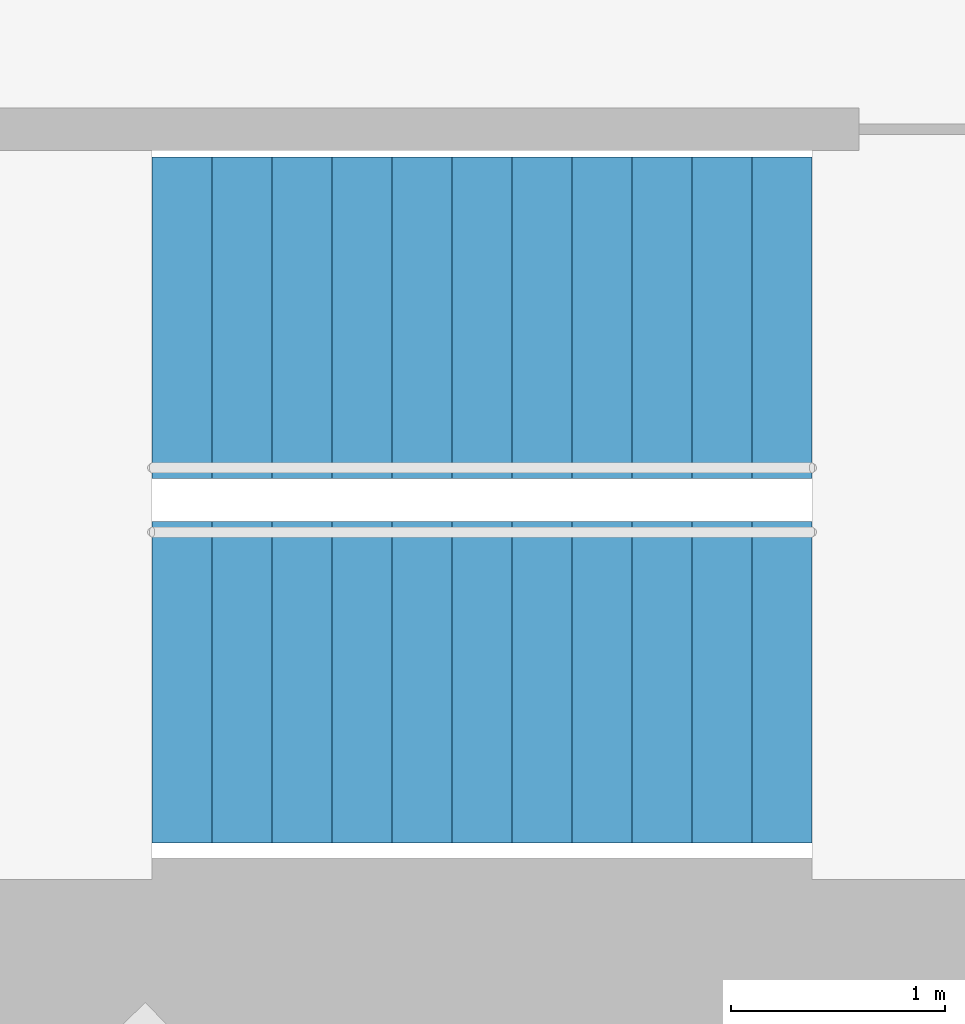
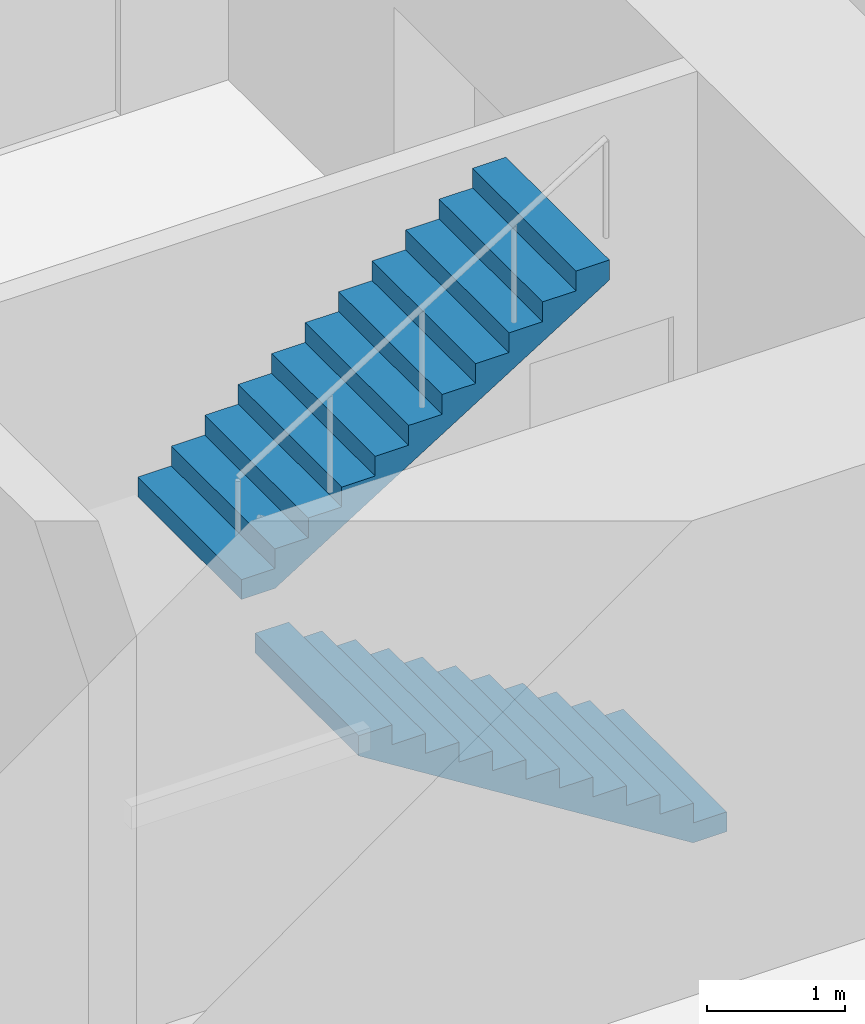
# One storey, part 16 of 17: 2 stair flights, 1 element without a shape of its own.
"""IFC4 building model written with IfcOpenShell, lengths in metres."""

import ifcopenshell
import ifcopenshell.guid

model = None  # the IFC model being written
_history = None  # IfcOwnerHistory: only IFC2X3 demands one
_inside = {}  # id of a spatial element -> (the spatial element, [elements in it])
_under = {}  # id of a project, library or spatial element -> (it, [spatial elements below it])
_declared = {}  # id of a project -> (the project, [libraries it declares])
_typed = {}  # id of a type object -> (the type object, [elements of that type])
_made_of = {}  # id of a material, layer set ... -> (it, [elements and type objects made of it])


def new_model(schema):
    """Start an empty IFC model of exactly this schema.

    Asked for "IFC4X3", IfcOpenShell would pick the latest addendum, in which some entities
    have other attributes; the version numbers below select the first issue.
    IFC2X3 requires an IfcOwnerHistory on every rooted entity: one is made here for all.
    """
    global model, _history
    if schema == "IFC4X3":
        model = ifcopenshell.file(schema_version=(4, 3, 0, 0))
    else:
        model = ifcopenshell.file(schema=schema)
    _inside.clear()
    _under.clear()
    _declared.clear()
    _typed.clear()
    _made_of.clear()
    _history = None
    if model.schema == "IFC2X3":
        org = make("IfcOrganization", Name="unknown")
        user = make(
            "IfcPersonAndOrganization",
            ThePerson=make("IfcPerson", FamilyName="unknown"),
            TheOrganization=org,
        )
        app = make(
            "IfcApplication",
            ApplicationDeveloper=org,
            Version="unknown",
            ApplicationFullName="unknown",
            ApplicationIdentifier="unknown",
        )
        _history = make(
            "IfcOwnerHistory",
            OwningUser=user,
            OwningApplication=app,
            ChangeAction="ADDED",
            CreationDate=0,
        )
    return model


def make(cls, **values):
    """One entity of the class cls with the attributes given. An attribute that is None is left unset."""
    return model.create_entity(
        cls, **{name: value for name, value in values.items() if value is not None}
    )


def rooted(cls, **values):
    """An entity with a GlobalId (a new one), such as an element, a storey or a relation."""
    return make(cls, GlobalId=ifcopenshell.guid.new(), OwnerHistory=_history, **values)


def si_unit(unit_type, name, prefix=None):
    """IfcSIUnit, for example si_unit("LENGTHUNIT", "METRE", prefix="MILLI")."""
    return make("IfcSIUnit", UnitType=unit_type, Prefix=prefix, Name=name)


def assignment(units):
    """IfcUnitAssignment: the units of a project."""
    return None if units is None else make("IfcUnitAssignment", Units=units)


def point(xyz):
    """IfcCartesianPoint."""
    return None if xyz is None else make("IfcCartesianPoint", Coordinates=xyz)


def direction(xyz):
    """IfcDirection."""
    return None if xyz is None else make("IfcDirection", DirectionRatios=xyz)


def frame(location, z_axis=None, x_axis=None):
    """IfcAxis2Placement3D, a coordinate frame: its origin and axes. An axis left out is left unset."""
    return make(
        "IfcAxis2Placement3D",
        Location=point(location),
        Axis=direction(z_axis),
        RefDirection=direction(x_axis),
    )


def origin():
    """The frame at (0, 0, 0) with its axes left unset."""
    return frame((0.0, 0.0, 0.0))


def place(relative_to, where):
    """IfcLocalPlacement: puts the frame where relative to a parent placement (None: the world)."""
    return make(
        "IfcLocalPlacement", PlacementRelTo=relative_to, RelativePlacement=where
    )


def context(
    kind, dimensions, precision=None, world=None, true_north=None, identifier=None
):
    """IfcGeometricRepresentationContext, for example the 3D "Model" context."""
    return make(
        "IfcGeometricRepresentationContext",
        ContextIdentifier=identifier,
        ContextType=kind,
        CoordinateSpaceDimension=dimensions,
        Precision=precision,
        WorldCoordinateSystem=world,
        TrueNorth=true_north,
    )


def subcontext(parent, identifier, kind, view, scale=None):
    """IfcGeometricRepresentationSubContext, for example "Body" below "Model"."""
    return make(
        "IfcGeometricRepresentationSubContext",
        ContextIdentifier=identifier,
        ContextType=kind,
        ParentContext=parent,
        TargetScale=scale,
        TargetView=view,
    )


def project(units=None, contexts=None):
    """IfcProject with its units and contexts."""
    return rooted(
        "IfcProject",
        Name="project",
        RepresentationContexts=contexts,
        UnitsInContext=assignment(units),
    )


def spatial(cls, under=None, at=None, **own):
    """A site, building, storey or space (cls), placed at a placement, below another one or the project."""
    s = rooted(cls, ObjectPlacement=at, **own)
    if under is not None:
        _under.setdefault(under.id(), (under, []))[1].append(s)
    return s


def point_list(points):
    """IfcCartesianPointList2D or 3D."""
    cls = (
        "IfcCartesianPointList2D" if len(points[0]) == 2 else "IfcCartesianPointList3D"
    )
    return make(cls, CoordList=points)


def triangles(points, corners, closed=None, point_numbers=None):
    """IfcTriangulatedFaceSet: each triangle names its three corners, points numbered from 1."""
    return make(
        "IfcTriangulatedFaceSet",
        Coordinates=point_list(points),
        Closed=closed,
        CoordIndex=corners,
        PnIndex=point_numbers,
    )


def shape(context_of_items, identifier, shape_type, items):
    """IfcShapeRepresentation: the items that make up one representation, for example the "Body"."""
    return make(
        "IfcShapeRepresentation",
        ContextOfItems=context_of_items,
        RepresentationIdentifier=identifier,
        RepresentationType=shape_type,
        Items=items,
    )


def material(Name=None, Category=None):
    """IfcMaterial."""
    return make("IfcMaterial", Name=Name, Category=Category)


def made_of(thing, what):
    """Note that an element or type object is made of a material, layer set ...; save() writes the relation."""
    if what is not None:
        _made_of.setdefault(what.id(), (what, []))[1].append(thing)
    return thing


def type_object(cls, material=None, **own):
    """A type object (cls), such as IfcWallType, which elements share."""
    return made_of(rooted(cls, **own), material)


def element(
    cls,
    number,
    at=None,
    inside=None,
    cuts=None,
    type_object=None,
    material=None,
    context=None,
    identifier="Body",
    shape_type=None,
    held_by="IfcProductDefinitionShape",
    body=None,
    shapes=None,
    **own,
):
    """One element of the class cls, such as IfcWall. Its Tag is "e" and its number.

    at: its placement. inside: the storey or other place that contains it. cuts: it is an
    opening in that element (IfcRelVoidsElement). A single representation is given by context,
    identifier, shape_type and body (its items); several are given by shapes. held_by: the class
    of the entity that holds the representations. save() writes the other relations.
    """
    e = rooted(cls, Tag="e%d" % number, ObjectPlacement=at, **own)
    if body is not None:
        shapes = [shape(context, identifier, shape_type, body)]
    if shapes is not None:
        e.Representation = make(held_by, Representations=shapes)
    if inside is not None:
        _inside.setdefault(inside.id(), (inside, []))[1].append(e)
    if cuts is not None:
        rooted(
            "IfcRelVoidsElement", RelatingBuildingElement=cuts, RelatedOpeningElement=e
        )
    if type_object is not None:
        _typed.setdefault(type_object.id(), (type_object, []))[1].append(e)
    return made_of(e, material)


def aggregate(whole, parts):
    """IfcRelAggregates: a whole, such as a stair, and the parts it consists of."""
    return rooted("IfcRelAggregates", RelatingObject=whole, RelatedObjects=parts)


def save(model, path):
    """Write the relations noted so far, then the file.

    IfcRelAggregates (storeys below a building ...), IfcRelContainedInSpatialStructure (elements
    in a storey), IfcRelDefinesByType, IfcRelAssociatesMaterial and IfcRelDeclares: one each for
    every whole, place, type object, material and project.
    """
    for whole, parts in _under.values():
        aggregate(whole, parts)
    for where, things in _inside.values():
        rooted(
            "IfcRelContainedInSpatialStructure",
            RelatedElements=things,
            RelatingStructure=where,
        )
    for kind, things in _typed.values():
        rooted("IfcRelDefinesByType", RelatedObjects=things, RelatingType=kind)
    for what, things in _made_of.values():
        rooted("IfcRelAssociatesMaterial", RelatedObjects=things, RelatingMaterial=what)
    for by, libraries in _declared.values():
        rooted("IfcRelDeclares", RelatingContext=by, RelatedDefinitions=libraries)
    model.write(path)


model = new_model("IFC4")

# Units and contexts
model_context = context("Model", 3, precision=1e-05, world=origin(), true_north=direction((0.0, 1.0)))
body_context = subcontext(model_context, "Body", "Model", "MODEL_VIEW")
ifc_project = project(units=[si_unit("LENGTHUNIT", "METRE"), si_unit("AREAUNIT", "SQUARE_METRE"), si_unit("VOLUMEUNIT", "CUBIC_METRE"), si_unit("PLANEANGLEUNIT", "RADIAN"), si_unit("MASSUNIT", "GRAM", prefix="KILO")], contexts=[model_context])

# Site, building, storey
site_placement = place(None, origin())
site = spatial("IfcSite", under=ifc_project, at=site_placement, CompositionType="ELEMENT")
building_placement = place(site_placement, origin())
building = spatial("IfcBuilding", under=site, at=building_placement, Name="Lantaw Convention Tower", CompositionType="ELEMENT")
storey_placement = place(building_placement, frame((0.0, 0.0, 159.39990234375)))
storey = spatial("IfcBuildingStorey", under=building, at=storey_placement, Name="L37", CompositionType="ELEMENT", Elevation=159.39990234375)

# Stair, stair flights
ifc_material = material(Name="Concrete C35/45", Category="concrete")
stair_type = type_object("IfcStairType", Name="Exit stair 1500 riser 175 in 2 flights", PredefinedType="HALF_TURN_STAIR", material=ifc_material)
stair_placement = place(storey_placement, origin())
stair = element("IfcStair", 1, at=stair_placement, inside=storey, type_object=stair_type, Name="Exit stair S2 L37", PredefinedType="HALF_TURN_STAIR")
stair_flight_type = type_object("IfcStairFlightType", Name="Stair flight 1500 riser 175", PredefinedType="STRAIGHT", material=ifc_material)
stair_flight_1_placement = place(storey_placement, frame((10.580078125, -5.97998046875, 0.0), z_axis=(0.0, 0.0, 1.0), x_axis=(-1.0, 0.0, 0.0)))
stair_flight_1 = element("IfcStairFlight", 2, at=stair_flight_1_placement, type_object=stair_flight_type, Name="S2 flight 1", NumberOfRisers=12, NumberOfTreads=11, PredefinedType="STRAIGHT", RiserHeight=0.175, TreadLength=0.28, context=body_context, shape_type="Tessellation", body=[
    triangles([(0.0, 0.75, 0.0), (0.0, 0.75, 0.175), (0.28, 0.75, 0.0), (0.28, 0.75, 0.175), (0.28, 0.75, 0.35), (0.28283517651771284, 0.75, 0.0), (0.28283517651771284, 0.75, 0.35), (0.56, 0.75, 0.17322801467642948), (0.56, 0.75, 0.35), (0.56, 0.75, 0.5249999999999999), (0.8400000000000001, 0.75, 0.34822801467642944), (0.8400000000000001, 0.75, 0.5249999999999999), (0.8400000000000001, 0.75, 0.7), (1.12, 0.75, 0.5232280146764294), (1.12, 0.75, 0.7), (1.12, 0.75, 0.875), (1.4000000000000001, 0.75, 0.6982280146764295), (1.4000000000000001, 0.75, 0.875), (1.4000000000000001, 0.75, 1.0499999999999998), (1.6800000000000002, 0.75, 0.8732280146764294), (1.6800000000000002, 0.75, 1.0499999999999998), (1.6800000000000002, 0.75, 1.2249999999999999), (1.9600000000000002, 0.75, 1.0482280146764293), (1.9600000000000002, 0.75, 1.2249999999999999), (1.9600000000000002, 0.75, 1.4), (2.24, 0.75, 1.2232280146764294), (2.24, 0.75, 1.4), (2.24, 0.75, 1.575), (2.5200000000000005, 0.75, 1.3982280146764294), (2.5200000000000005, 0.75, 1.575), (2.5200000000000005, 0.75, 1.75), (2.8000000000000003, 0.75, 1.5732280146764293), (2.8000000000000003, 0.75, 1.75), (2.8000000000000003, 0.75, 1.9249999999999998), (3.08, 0.75, 1.7482280146764293), (3.08, 0.75, 1.9249999999999998), (0.0, -0.75, 0.0), (0.0, -0.75, 0.175), (0.28, -0.75, 0.0), (0.28, -0.75, 0.175), (0.28, -0.75, 0.35), (0.28283517651771284, -0.75, 0.0), (0.28283517651771284, -0.75, 0.35), (0.56, -0.75, 0.17322801467642948), (0.56, -0.75, 0.35), (0.56, -0.75, 0.5249999999999999), (0.8400000000000001, -0.75, 0.34822801467642944), (0.8400000000000001, -0.75, 0.5249999999999999), (0.8400000000000001, -0.75, 0.7), (1.12, -0.75, 0.5232280146764294), (1.12, -0.75, 0.7), (1.12, -0.75, 0.875), (1.4000000000000001, -0.75, 0.6982280146764295), (1.4000000000000001, -0.75, 0.875), (1.4000000000000001, -0.75, 1.0499999999999998), (1.6800000000000002, -0.75, 0.8732280146764294), (1.6800000000000002, -0.75, 1.0499999999999998), (1.6800000000000002, -0.75, 1.2249999999999999), (1.9600000000000002, -0.75, 1.0482280146764293), (1.9600000000000002, -0.75, 1.2249999999999999), (1.9600000000000002, -0.75, 1.4), (2.24, -0.75, 1.2232280146764294), (2.24, -0.75, 1.4), (2.24, -0.75, 1.575), (2.5200000000000005, -0.75, 1.3982280146764294), (2.5200000000000005, -0.75, 1.575), (2.5200000000000005, -0.75, 1.75), (2.8000000000000003, -0.75, 1.5732280146764293), (2.8000000000000003, -0.75, 1.75), (2.8000000000000003, -0.75, 1.9249999999999998), (3.08, -0.75, 1.7482280146764293), (3.08, -0.75, 1.9249999999999998), (0.0, 0.15000000000000002, 0.175), (0.0, 0.15000000000000002, 0.0), (0.0, 0.0, 0.175), (0.0, 0.0, 0.0), (0.0, -0.15000000000000002, 0.175), (0.0, -0.15000000000000002, 0.0), (0.28, 0.15000000000000002, 0.35), (0.28, 0.15000000000000002, 0.175), (0.28, 0.0, 0.35), (0.28, 0.0, 0.175), (0.28, -0.15000000000000002, 0.35), (0.28, -0.15000000000000002, 0.175), (0.56, 0.15000000000000002, 0.5249999999999999), (0.56, 0.15000000000000002, 0.35), (0.56, 0.0, 0.5249999999999999), (0.56, 0.0, 0.35), (0.56, -0.15000000000000002, 0.5249999999999999), (0.56, -0.15000000000000002, 0.35), (0.8400000000000001, 0.15000000000000002, 0.7), (0.8400000000000001, 0.15000000000000002, 0.5249999999999999), (0.8400000000000001, 0.0, 0.7), (0.8400000000000001, 0.0, 0.5249999999999999), (0.8400000000000001, -0.15000000000000002, 0.7), (0.8400000000000001, -0.15000000000000002, 0.5249999999999999), (1.12, 0.15000000000000002, 0.875), (1.12, 0.15000000000000002, 0.7), (1.12, 0.0, 0.875), (1.12, 0.0, 0.7), (1.12, -0.15000000000000002, 0.875), (1.12, -0.15000000000000002, 0.7), (1.4000000000000001, 0.15000000000000002, 1.0499999999999998), (1.4000000000000001, 0.15000000000000002, 0.875), (1.4000000000000001, 0.0, 1.0499999999999998), (1.4000000000000001, 0.0, 0.875), (1.4000000000000001, -0.15000000000000002, 1.0499999999999998), (1.4000000000000001, -0.15000000000000002, 0.875), (1.6800000000000002, 0.15000000000000002, 1.2249999999999999), (1.6800000000000002, 0.15000000000000002, 1.0499999999999998), (1.6800000000000002, 0.0, 1.2249999999999999), (1.6800000000000002, 0.0, 1.0499999999999998), (1.6800000000000002, -0.15000000000000002, 1.2249999999999999), (1.6800000000000002, -0.15000000000000002, 1.0499999999999998), (1.9600000000000002, 0.15000000000000002, 1.4), (1.9600000000000002, 0.15000000000000002, 1.2249999999999999), (1.9600000000000002, 0.0, 1.4), (1.9600000000000002, 0.0, 1.2249999999999999), (1.9600000000000002, -0.15000000000000002, 1.4), (1.9600000000000002, -0.15000000000000002, 1.2249999999999999), (2.24, 0.15000000000000002, 1.575), (2.24, 0.15000000000000002, 1.4), (2.24, 0.0, 1.575), (2.24, 0.0, 1.4), (2.24, -0.15000000000000002, 1.575), (2.24, -0.15000000000000002, 1.4), (2.5200000000000005, 0.15000000000000002, 1.75), (2.5200000000000005, 0.15000000000000002, 1.575), (2.5200000000000005, 0.0, 1.75), (2.5200000000000005, 0.0, 1.575), (2.5200000000000005, -0.15000000000000002, 1.75), (2.5200000000000005, -0.15000000000000002, 1.575), (2.8000000000000003, 0.15000000000000002, 1.9249999999999998), (2.8000000000000003, 0.15000000000000002, 1.75), (2.8000000000000003, 0.0, 1.9249999999999998), (2.8000000000000003, 0.0, 1.75), (2.8000000000000003, -0.15000000000000002, 1.9249999999999998), (2.8000000000000003, -0.15000000000000002, 1.75), (0.28283517651771284, 0.15000000000000002, 0.35), (0.28283517651771284, 0.0, 0.35), (0.28283517651771284, -0.15000000000000002, 0.35), (3.08, 0.15000000000000002, 1.9249999999999998), (3.08, 0.0, 1.9249999999999998), (3.08, -0.15000000000000002, 1.9249999999999998), (3.08, 0.15000000000000002, 1.7482280146764293), (3.08, 0.0, 1.7482280146764293), (3.08, -0.15000000000000002, 1.7482280146764293), (2.8000000000000003, 0.15000000000000002, 1.5732280146764293), (2.8000000000000003, 0.0, 1.5732280146764293), (2.8000000000000003, -0.15000000000000002, 1.5732280146764293), (2.5200000000000005, 0.15000000000000002, 1.3982280146764294), (2.5200000000000005, 0.0, 1.3982280146764294), (2.5200000000000005, -0.15000000000000002, 1.3982280146764294), (2.24, 0.15000000000000002, 1.2232280146764294), (2.24, 0.0, 1.2232280146764294), (2.24, -0.15000000000000002, 1.2232280146764294), (1.9600000000000002, 0.15000000000000002, 1.0482280146764293), (1.9600000000000002, 0.0, 1.0482280146764293), (1.9600000000000002, -0.15000000000000002, 1.0482280146764293), (1.6800000000000002, 0.15000000000000002, 0.8732280146764294), (1.6800000000000002, 0.0, 0.8732280146764294), (1.6800000000000002, -0.15000000000000002, 0.8732280146764294), (1.4000000000000001, 0.15000000000000002, 0.6982280146764295), (1.4000000000000001, 0.0, 0.6982280146764295), (1.4000000000000001, -0.15000000000000002, 0.6982280146764295), (1.12, 0.15000000000000002, 0.5232280146764294), (1.12, 0.0, 0.5232280146764294), (1.12, -0.15000000000000002, 0.5232280146764294), (0.8400000000000001, 0.15000000000000002, 0.34822801467642944), (0.8400000000000001, 0.0, 0.34822801467642944), (0.8400000000000001, -0.15000000000000002, 0.34822801467642944), (0.56, 0.15000000000000002, 0.17322801467642948), (0.56, 0.0, 0.17322801467642948), (0.56, -0.15000000000000002, 0.17322801467642948), (0.28283517651771284, 0.15000000000000002, 0.0), (0.28283517651771284, 0.0, 0.0), (0.28283517651771284, -0.15000000000000002, 0.0), (0.28, 0.15000000000000002, 0.0), (0.28, 0.0, 0.0), (0.28, -0.15000000000000002, 0.0)], [[1, 4, 3], [1, 2, 4], [3, 4, 6], [4, 7, 6], [4, 5, 7], [6, 9, 8], [6, 7, 9], [8, 9, 11], [9, 12, 11], [9, 10, 12], [11, 12, 14], [12, 15, 14], [12, 13, 15], [14, 15, 17], [15, 18, 17], [15, 16, 18], [17, 18, 20], [18, 21, 20], [18, 19, 21], [20, 21, 23], [21, 24, 23], [21, 22, 24], [23, 24, 26], [24, 27, 26], [24, 25, 27], [26, 27, 29], [27, 30, 29], [27, 28, 30], [29, 30, 32], [30, 33, 32], [30, 31, 33], [32, 33, 35], [33, 36, 35], [33, 34, 36], [37, 39, 40], [37, 40, 38], [39, 42, 40], [40, 42, 43], [40, 43, 41], [42, 44, 45], [42, 45, 43], [44, 47, 45], [45, 47, 48], [45, 48, 46], [47, 50, 48], [48, 50, 51], [48, 51, 49], [50, 53, 51], [51, 53, 54], [51, 54, 52], [53, 56, 54], [54, 56, 57], [54, 57, 55], [56, 59, 57], [57, 59, 60], [57, 60, 58], [59, 62, 60], [60, 62, 63], [60, 63, 61], [62, 65, 63], [63, 65, 66], [63, 66, 64], [65, 68, 66], [66, 68, 69], [66, 69, 67], [68, 71, 69], [69, 71, 72], [69, 72, 70], [1, 73, 2], [1, 74, 73], [74, 75, 73], [74, 76, 75], [76, 77, 75], [76, 78, 77], [78, 38, 77], [78, 37, 38], [4, 79, 5], [4, 80, 79], [80, 81, 79], [80, 82, 81], [82, 83, 81], [82, 84, 83], [84, 41, 83], [84, 40, 41], [9, 85, 10], [9, 86, 85], [86, 87, 85], [86, 88, 87], [88, 89, 87], [88, 90, 89], [90, 46, 89], [90, 45, 46], [12, 91, 13], [12, 92, 91], [92, 93, 91], [92, 94, 93], [94, 95, 93], [94, 96, 95], [96, 49, 95], [96, 48, 49], [15, 97, 16], [15, 98, 97], [98, 99, 97], [98, 100, 99], [100, 101, 99], [100, 102, 101], [102, 52, 101], [102, 51, 52], [18, 103, 19], [18, 104, 103], [104, 105, 103], [104, 106, 105], [106, 107, 105], [106, 108, 107], [108, 55, 107], [108, 54, 55], [21, 109, 22], [21, 110, 109], [110, 111, 109], [110, 112, 111], [112, 113, 111], [112, 114, 113], [114, 58, 113], [114, 57, 58], [24, 115, 25], [24, 116, 115], [116, 117, 115], [116, 118, 117], [118, 119, 117], [118, 120, 119], [120, 61, 119], [120, 60, 61], [27, 121, 28], [27, 122, 121], [122, 123, 121], [122, 124, 123], [124, 125, 123], [124, 126, 125], [126, 64, 125], [126, 63, 64], [30, 127, 31], [30, 128, 127], [128, 129, 127], [128, 130, 129], [130, 131, 129], [130, 132, 131], [132, 67, 131], [132, 66, 67], [33, 133, 34], [33, 134, 133], [134, 135, 133], [134, 136, 135], [136, 137, 135], [136, 138, 137], [138, 70, 137], [138, 69, 70], [2, 80, 4], [2, 73, 80], [73, 82, 80], [73, 75, 82], [75, 84, 82], [75, 77, 84], [77, 40, 84], [77, 38, 40], [5, 139, 7], [5, 79, 139], [79, 140, 139], [79, 81, 140], [81, 141, 140], [81, 83, 141], [83, 43, 141], [83, 41, 43], [7, 86, 9], [7, 139, 86], [139, 88, 86], [139, 140, 88], [140, 90, 88], [140, 141, 90], [141, 45, 90], [141, 43, 45], [10, 92, 12], [10, 85, 92], [85, 94, 92], [85, 87, 94], [87, 96, 94], [87, 89, 96], [89, 48, 96], [89, 46, 48], [13, 98, 15], [13, 91, 98], [91, 100, 98], [91, 93, 100], [93, 102, 100], [93, 95, 102], [95, 51, 102], [95, 49, 51], [16, 104, 18], [16, 97, 104], [97, 106, 104], [97, 99, 106], [99, 108, 106], [99, 101, 108], [101, 54, 108], [101, 52, 54], [19, 110, 21], [19, 103, 110], [103, 112, 110], [103, 105, 112], [105, 114, 112], [105, 107, 114], [107, 57, 114], [107, 55, 57], [22, 116, 24], [22, 109, 116], [109, 118, 116], [109, 111, 118], [111, 120, 118], [111, 113, 120], [113, 60, 120], [113, 58, 60], [25, 122, 27], [25, 115, 122], [115, 124, 122], [115, 117, 124], [117, 126, 124], [117, 119, 126], [119, 63, 126], [119, 61, 63], [28, 128, 30], [28, 121, 128], [121, 130, 128], [121, 123, 130], [123, 132, 130], [123, 125, 132], [125, 66, 132], [125, 64, 66], [31, 134, 33], [31, 127, 134], [127, 136, 134], [127, 129, 136], [129, 138, 136], [129, 131, 138], [131, 69, 138], [131, 67, 69], [34, 142, 36], [34, 133, 142], [133, 143, 142], [133, 135, 143], [135, 144, 143], [135, 137, 144], [137, 72, 144], [137, 70, 72], [36, 145, 35], [36, 142, 145], [142, 146, 145], [142, 143, 146], [143, 147, 146], [143, 144, 147], [144, 71, 147], [144, 72, 71], [35, 148, 32], [35, 145, 148], [145, 149, 148], [145, 146, 149], [146, 150, 149], [146, 147, 150], [147, 68, 150], [147, 71, 68], [32, 151, 29], [32, 148, 151], [148, 152, 151], [148, 149, 152], [149, 153, 152], [149, 150, 153], [150, 65, 153], [150, 68, 65], [29, 154, 26], [29, 151, 154], [151, 155, 154], [151, 152, 155], [152, 156, 155], [152, 153, 156], [153, 62, 156], [153, 65, 62], [26, 157, 23], [26, 154, 157], [154, 158, 157], [154, 155, 158], [155, 159, 158], [155, 156, 159], [156, 59, 159], [156, 62, 59], [23, 160, 20], [23, 157, 160], [157, 161, 160], [157, 158, 161], [158, 162, 161], [158, 159, 162], [159, 56, 162], [159, 59, 56], [20, 163, 17], [20, 160, 163], [160, 164, 163], [160, 161, 164], [161, 165, 164], [161, 162, 165], [162, 53, 165], [162, 56, 53], [17, 166, 14], [17, 163, 166], [163, 167, 166], [163, 164, 167], [164, 168, 167], [164, 165, 168], [165, 50, 168], [165, 53, 50], [14, 169, 11], [14, 166, 169], [166, 170, 169], [166, 167, 170], [167, 171, 170], [167, 168, 171], [168, 47, 171], [168, 50, 47], [11, 172, 8], [11, 169, 172], [169, 173, 172], [169, 170, 173], [170, 174, 173], [170, 171, 174], [171, 44, 174], [171, 47, 44], [8, 175, 6], [8, 172, 175], [172, 176, 175], [172, 173, 176], [173, 177, 176], [173, 174, 177], [174, 42, 177], [174, 44, 42], [6, 178, 3], [6, 175, 178], [175, 179, 178], [175, 176, 179], [176, 180, 179], [176, 177, 180], [177, 39, 180], [177, 42, 39], [3, 74, 1], [3, 178, 74], [178, 76, 74], [178, 179, 76], [179, 78, 76], [179, 180, 78], [180, 37, 78], [180, 39, 37]], closed=True),
])
stair_flight_2_placement = place(storey_placement, frame((7.5, -4.280029296875, 2.10009765625), z_axis=(0.0, 0.0, 1.0), x_axis=(1.0, 0.0, 0.0)))
stair_flight_2 = element("IfcStairFlight", 3, at=stair_flight_2_placement, type_object=stair_flight_type, Name="S2 flight 2", NumberOfRisers=12, NumberOfTreads=11, PredefinedType="STRAIGHT", RiserHeight=0.175, TreadLength=0.28, context=body_context, shape_type="Tessellation", body=[
    triangles([(0.0, 0.75, 0.0), (0.0, 0.75, 0.175), (0.28, 0.75, 0.0), (0.28, 0.75, 0.175), (0.28, 0.75, 0.35), (0.28283517651771284, 0.75, 0.0), (0.28283517651771284, 0.75, 0.35), (0.56, 0.75, 0.17322801467642948), (0.56, 0.75, 0.35), (0.56, 0.75, 0.5249999999999999), (0.8400000000000001, 0.75, 0.34822801467642944), (0.8400000000000001, 0.75, 0.5249999999999999), (0.8400000000000001, 0.75, 0.7), (1.12, 0.75, 0.5232280146764294), (1.12, 0.75, 0.7), (1.12, 0.75, 0.875), (1.4000000000000001, 0.75, 0.6982280146764295), (1.4000000000000001, 0.75, 0.875), (1.4000000000000001, 0.75, 1.0499999999999998), (1.6800000000000002, 0.75, 0.8732280146764294), (1.6800000000000002, 0.75, 1.0499999999999998), (1.6800000000000002, 0.75, 1.2249999999999999), (1.9600000000000002, 0.75, 1.0482280146764293), (1.9600000000000002, 0.75, 1.2249999999999999), (1.9600000000000002, 0.75, 1.4), (2.24, 0.75, 1.2232280146764294), (2.24, 0.75, 1.4), (2.24, 0.75, 1.575), (2.5200000000000005, 0.75, 1.3982280146764294), (2.5200000000000005, 0.75, 1.575), (2.5200000000000005, 0.75, 1.75), (2.8000000000000003, 0.75, 1.5732280146764293), (2.8000000000000003, 0.75, 1.75), (2.8000000000000003, 0.75, 1.9249999999999998), (3.08, 0.75, 1.7482280146764293), (3.08, 0.75, 1.9249999999999998), (0.0, -0.75, 0.0), (0.0, -0.75, 0.175), (0.28, -0.75, 0.0), (0.28, -0.75, 0.175), (0.28, -0.75, 0.35), (0.28283517651771284, -0.75, 0.0), (0.28283517651771284, -0.75, 0.35), (0.56, -0.75, 0.17322801467642948), (0.56, -0.75, 0.35), (0.56, -0.75, 0.5249999999999999), (0.8400000000000001, -0.75, 0.34822801467642944), (0.8400000000000001, -0.75, 0.5249999999999999), (0.8400000000000001, -0.75, 0.7), (1.12, -0.75, 0.5232280146764294), (1.12, -0.75, 0.7), (1.12, -0.75, 0.875), (1.4000000000000001, -0.75, 0.6982280146764295), (1.4000000000000001, -0.75, 0.875), (1.4000000000000001, -0.75, 1.0499999999999998), (1.6800000000000002, -0.75, 0.8732280146764294), (1.6800000000000002, -0.75, 1.0499999999999998), (1.6800000000000002, -0.75, 1.2249999999999999), (1.9600000000000002, -0.75, 1.0482280146764293), (1.9600000000000002, -0.75, 1.2249999999999999), (1.9600000000000002, -0.75, 1.4), (2.24, -0.75, 1.2232280146764294), (2.24, -0.75, 1.4), (2.24, -0.75, 1.575), (2.5200000000000005, -0.75, 1.3982280146764294), (2.5200000000000005, -0.75, 1.575), (2.5200000000000005, -0.75, 1.75), (2.8000000000000003, -0.75, 1.5732280146764293), (2.8000000000000003, -0.75, 1.75), (2.8000000000000003, -0.75, 1.9249999999999998), (3.08, -0.75, 1.7482280146764293), (3.08, -0.75, 1.9249999999999998), (0.0, 0.15000000000000002, 0.175), (0.0, 0.15000000000000002, 0.0), (0.0, 0.0, 0.175), (0.0, 0.0, 0.0), (0.0, -0.15000000000000002, 0.175), (0.0, -0.15000000000000002, 0.0), (0.28, 0.15000000000000002, 0.35), (0.28, 0.15000000000000002, 0.175), (0.28, 0.0, 0.35), (0.28, 0.0, 0.175), (0.28, -0.15000000000000002, 0.35), (0.28, -0.15000000000000002, 0.175), (0.56, 0.15000000000000002, 0.5249999999999999), (0.56, 0.15000000000000002, 0.35), (0.56, 0.0, 0.5249999999999999), (0.56, 0.0, 0.35), (0.56, -0.15000000000000002, 0.5249999999999999), (0.56, -0.15000000000000002, 0.35), (0.8400000000000001, 0.15000000000000002, 0.7), (0.8400000000000001, 0.15000000000000002, 0.5249999999999999), (0.8400000000000001, 0.0, 0.7), (0.8400000000000001, 0.0, 0.5249999999999999), (0.8400000000000001, -0.15000000000000002, 0.7), (0.8400000000000001, -0.15000000000000002, 0.5249999999999999), (1.12, 0.15000000000000002, 0.875), (1.12, 0.15000000000000002, 0.7), (1.12, 0.0, 0.875), (1.12, 0.0, 0.7), (1.12, -0.15000000000000002, 0.875), (1.12, -0.15000000000000002, 0.7), (1.4000000000000001, 0.15000000000000002, 1.0499999999999998), (1.4000000000000001, 0.15000000000000002, 0.875), (1.4000000000000001, 0.0, 1.0499999999999998), (1.4000000000000001, 0.0, 0.875), (1.4000000000000001, -0.15000000000000002, 1.0499999999999998), (1.4000000000000001, -0.15000000000000002, 0.875), (1.6800000000000002, 0.15000000000000002, 1.2249999999999999), (1.6800000000000002, 0.15000000000000002, 1.0499999999999998), (1.6800000000000002, 0.0, 1.2249999999999999), (1.6800000000000002, 0.0, 1.0499999999999998), (1.6800000000000002, -0.15000000000000002, 1.2249999999999999), (1.6800000000000002, -0.15000000000000002, 1.0499999999999998), (1.9600000000000002, 0.15000000000000002, 1.4), (1.9600000000000002, 0.15000000000000002, 1.2249999999999999), (1.9600000000000002, 0.0, 1.4), (1.9600000000000002, 0.0, 1.2249999999999999), (1.9600000000000002, -0.15000000000000002, 1.4), (1.9600000000000002, -0.15000000000000002, 1.2249999999999999), (2.24, 0.15000000000000002, 1.575), (2.24, 0.15000000000000002, 1.4), (2.24, 0.0, 1.575), (2.24, 0.0, 1.4), (2.24, -0.15000000000000002, 1.575), (2.24, -0.15000000000000002, 1.4), (2.5200000000000005, 0.15000000000000002, 1.75), (2.5200000000000005, 0.15000000000000002, 1.575), (2.5200000000000005, 0.0, 1.75), (2.5200000000000005, 0.0, 1.575), (2.5200000000000005, -0.15000000000000002, 1.75), (2.5200000000000005, -0.15000000000000002, 1.575), (2.8000000000000003, 0.15000000000000002, 1.9249999999999998), (2.8000000000000003, 0.15000000000000002, 1.75), (2.8000000000000003, 0.0, 1.9249999999999998), (2.8000000000000003, 0.0, 1.75), (2.8000000000000003, -0.15000000000000002, 1.9249999999999998), (2.8000000000000003, -0.15000000000000002, 1.75), (0.28283517651771284, 0.15000000000000002, 0.35), (0.28283517651771284, 0.0, 0.35), (0.28283517651771284, -0.15000000000000002, 0.35), (3.08, 0.15000000000000002, 1.9249999999999998), (3.08, 0.0, 1.9249999999999998), (3.08, -0.15000000000000002, 1.9249999999999998), (3.08, 0.15000000000000002, 1.7482280146764293), (3.08, 0.0, 1.7482280146764293), (3.08, -0.15000000000000002, 1.7482280146764293), (2.8000000000000003, 0.15000000000000002, 1.5732280146764293), (2.8000000000000003, 0.0, 1.5732280146764293), (2.8000000000000003, -0.15000000000000002, 1.5732280146764293), (2.5200000000000005, 0.15000000000000002, 1.3982280146764294), (2.5200000000000005, 0.0, 1.3982280146764294), (2.5200000000000005, -0.15000000000000002, 1.3982280146764294), (2.24, 0.15000000000000002, 1.2232280146764294), (2.24, 0.0, 1.2232280146764294), (2.24, -0.15000000000000002, 1.2232280146764294), (1.9600000000000002, 0.15000000000000002, 1.0482280146764293), (1.9600000000000002, 0.0, 1.0482280146764293), (1.9600000000000002, -0.15000000000000002, 1.0482280146764293), (1.6800000000000002, 0.15000000000000002, 0.8732280146764294), (1.6800000000000002, 0.0, 0.8732280146764294), (1.6800000000000002, -0.15000000000000002, 0.8732280146764294), (1.4000000000000001, 0.15000000000000002, 0.6982280146764295), (1.4000000000000001, 0.0, 0.6982280146764295), (1.4000000000000001, -0.15000000000000002, 0.6982280146764295), (1.12, 0.15000000000000002, 0.5232280146764294), (1.12, 0.0, 0.5232280146764294), (1.12, -0.15000000000000002, 0.5232280146764294), (0.8400000000000001, 0.15000000000000002, 0.34822801467642944), (0.8400000000000001, 0.0, 0.34822801467642944), (0.8400000000000001, -0.15000000000000002, 0.34822801467642944), (0.56, 0.15000000000000002, 0.17322801467642948), (0.56, 0.0, 0.17322801467642948), (0.56, -0.15000000000000002, 0.17322801467642948), (0.28283517651771284, 0.15000000000000002, 0.0), (0.28283517651771284, 0.0, 0.0), (0.28283517651771284, -0.15000000000000002, 0.0), (0.28, 0.15000000000000002, 0.0), (0.28, 0.0, 0.0), (0.28, -0.15000000000000002, 0.0)], [[1, 4, 3], [1, 2, 4], [3, 4, 6], [4, 7, 6], [4, 5, 7], [6, 9, 8], [6, 7, 9], [8, 9, 11], [9, 12, 11], [9, 10, 12], [11, 12, 14], [12, 15, 14], [12, 13, 15], [14, 15, 17], [15, 18, 17], [15, 16, 18], [17, 18, 20], [18, 21, 20], [18, 19, 21], [20, 21, 23], [21, 24, 23], [21, 22, 24], [23, 24, 26], [24, 27, 26], [24, 25, 27], [26, 27, 29], [27, 30, 29], [27, 28, 30], [29, 30, 32], [30, 33, 32], [30, 31, 33], [32, 33, 35], [33, 36, 35], [33, 34, 36], [37, 39, 40], [37, 40, 38], [39, 42, 40], [40, 42, 43], [40, 43, 41], [42, 44, 45], [42, 45, 43], [44, 47, 45], [45, 47, 48], [45, 48, 46], [47, 50, 48], [48, 50, 51], [48, 51, 49], [50, 53, 51], [51, 53, 54], [51, 54, 52], [53, 56, 54], [54, 56, 57], [54, 57, 55], [56, 59, 57], [57, 59, 60], [57, 60, 58], [59, 62, 60], [60, 62, 63], [60, 63, 61], [62, 65, 63], [63, 65, 66], [63, 66, 64], [65, 68, 66], [66, 68, 69], [66, 69, 67], [68, 71, 69], [69, 71, 72], [69, 72, 70], [1, 73, 2], [1, 74, 73], [74, 75, 73], [74, 76, 75], [76, 77, 75], [76, 78, 77], [78, 38, 77], [78, 37, 38], [4, 79, 5], [4, 80, 79], [80, 81, 79], [80, 82, 81], [82, 83, 81], [82, 84, 83], [84, 41, 83], [84, 40, 41], [9, 85, 10], [9, 86, 85], [86, 87, 85], [86, 88, 87], [88, 89, 87], [88, 90, 89], [90, 46, 89], [90, 45, 46], [12, 91, 13], [12, 92, 91], [92, 93, 91], [92, 94, 93], [94, 95, 93], [94, 96, 95], [96, 49, 95], [96, 48, 49], [15, 97, 16], [15, 98, 97], [98, 99, 97], [98, 100, 99], [100, 101, 99], [100, 102, 101], [102, 52, 101], [102, 51, 52], [18, 103, 19], [18, 104, 103], [104, 105, 103], [104, 106, 105], [106, 107, 105], [106, 108, 107], [108, 55, 107], [108, 54, 55], [21, 109, 22], [21, 110, 109], [110, 111, 109], [110, 112, 111], [112, 113, 111], [112, 114, 113], [114, 58, 113], [114, 57, 58], [24, 115, 25], [24, 116, 115], [116, 117, 115], [116, 118, 117], [118, 119, 117], [118, 120, 119], [120, 61, 119], [120, 60, 61], [27, 121, 28], [27, 122, 121], [122, 123, 121], [122, 124, 123], [124, 125, 123], [124, 126, 125], [126, 64, 125], [126, 63, 64], [30, 127, 31], [30, 128, 127], [128, 129, 127], [128, 130, 129], [130, 131, 129], [130, 132, 131], [132, 67, 131], [132, 66, 67], [33, 133, 34], [33, 134, 133], [134, 135, 133], [134, 136, 135], [136, 137, 135], [136, 138, 137], [138, 70, 137], [138, 69, 70], [2, 80, 4], [2, 73, 80], [73, 82, 80], [73, 75, 82], [75, 84, 82], [75, 77, 84], [77, 40, 84], [77, 38, 40], [5, 139, 7], [5, 79, 139], [79, 140, 139], [79, 81, 140], [81, 141, 140], [81, 83, 141], [83, 43, 141], [83, 41, 43], [7, 86, 9], [7, 139, 86], [139, 88, 86], [139, 140, 88], [140, 90, 88], [140, 141, 90], [141, 45, 90], [141, 43, 45], [10, 92, 12], [10, 85, 92], [85, 94, 92], [85, 87, 94], [87, 96, 94], [87, 89, 96], [89, 48, 96], [89, 46, 48], [13, 98, 15], [13, 91, 98], [91, 100, 98], [91, 93, 100], [93, 102, 100], [93, 95, 102], [95, 51, 102], [95, 49, 51], [16, 104, 18], [16, 97, 104], [97, 106, 104], [97, 99, 106], [99, 108, 106], [99, 101, 108], [101, 54, 108], [101, 52, 54], [19, 110, 21], [19, 103, 110], [103, 112, 110], [103, 105, 112], [105, 114, 112], [105, 107, 114], [107, 57, 114], [107, 55, 57], [22, 116, 24], [22, 109, 116], [109, 118, 116], [109, 111, 118], [111, 120, 118], [111, 113, 120], [113, 60, 120], [113, 58, 60], [25, 122, 27], [25, 115, 122], [115, 124, 122], [115, 117, 124], [117, 126, 124], [117, 119, 126], [119, 63, 126], [119, 61, 63], [28, 128, 30], [28, 121, 128], [121, 130, 128], [121, 123, 130], [123, 132, 130], [123, 125, 132], [125, 66, 132], [125, 64, 66], [31, 134, 33], [31, 127, 134], [127, 136, 134], [127, 129, 136], [129, 138, 136], [129, 131, 138], [131, 69, 138], [131, 67, 69], [34, 142, 36], [34, 133, 142], [133, 143, 142], [133, 135, 143], [135, 144, 143], [135, 137, 144], [137, 72, 144], [137, 70, 72], [36, 145, 35], [36, 142, 145], [142, 146, 145], [142, 143, 146], [143, 147, 146], [143, 144, 147], [144, 71, 147], [144, 72, 71], [35, 148, 32], [35, 145, 148], [145, 149, 148], [145, 146, 149], [146, 150, 149], [146, 147, 150], [147, 68, 150], [147, 71, 68], [32, 151, 29], [32, 148, 151], [148, 152, 151], [148, 149, 152], [149, 153, 152], [149, 150, 153], [150, 65, 153], [150, 68, 65], [29, 154, 26], [29, 151, 154], [151, 155, 154], [151, 152, 155], [152, 156, 155], [152, 153, 156], [153, 62, 156], [153, 65, 62], [26, 157, 23], [26, 154, 157], [154, 158, 157], [154, 155, 158], [155, 159, 158], [155, 156, 159], [156, 59, 159], [156, 62, 59], [23, 160, 20], [23, 157, 160], [157, 161, 160], [157, 158, 161], [158, 162, 161], [158, 159, 162], [159, 56, 162], [159, 59, 56], [20, 163, 17], [20, 160, 163], [160, 164, 163], [160, 161, 164], [161, 165, 164], [161, 162, 165], [162, 53, 165], [162, 56, 53], [17, 166, 14], [17, 163, 166], [163, 167, 166], [163, 164, 167], [164, 168, 167], [164, 165, 168], [165, 50, 168], [165, 53, 50], [14, 169, 11], [14, 166, 169], [166, 170, 169], [166, 167, 170], [167, 171, 170], [167, 168, 171], [168, 47, 171], [168, 50, 47], [11, 172, 8], [11, 169, 172], [169, 173, 172], [169, 170, 173], [170, 174, 173], [170, 171, 174], [171, 44, 174], [171, 47, 44], [8, 175, 6], [8, 172, 175], [172, 176, 175], [172, 173, 176], [173, 177, 176], [173, 174, 177], [174, 42, 177], [174, 44, 42], [6, 178, 3], [6, 175, 178], [175, 179, 178], [175, 176, 179], [176, 180, 179], [176, 177, 180], [177, 39, 180], [177, 42, 39], [3, 74, 1], [3, 178, 74], [178, 76, 74], [178, 179, 76], [179, 78, 76], [179, 180, 78], [180, 37, 78], [180, 39, 37]], closed=True),
])
aggregate(stair, [stair_flight_1, stair_flight_2])

save(model, "model.ifc")
